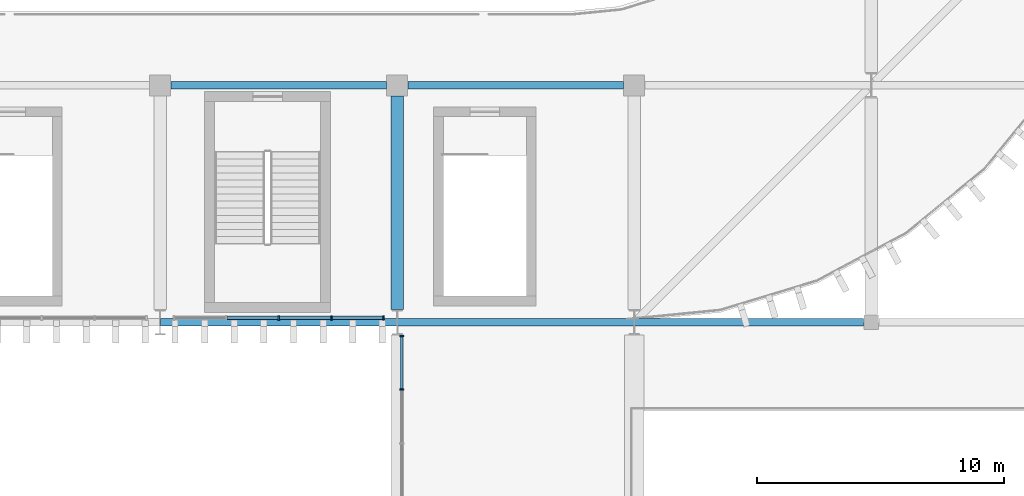
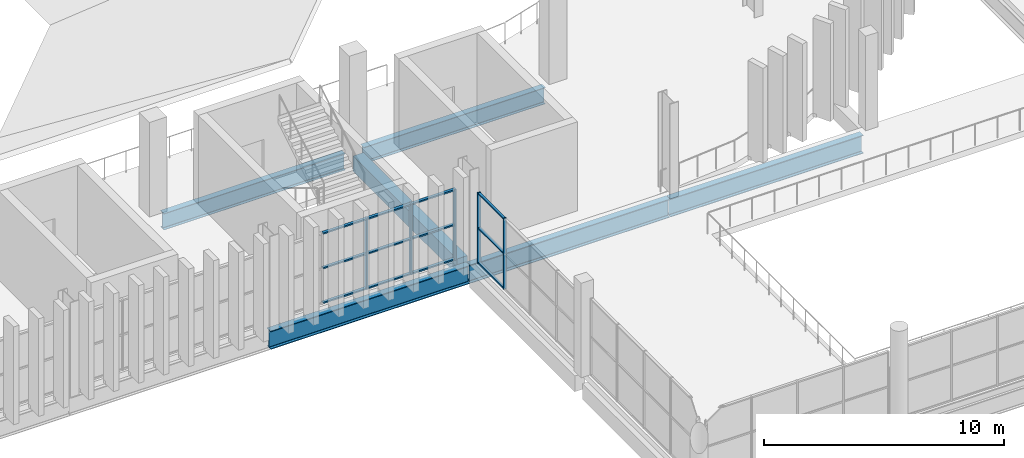
# One storey, part 38 of 99: 17 members, 6 beams, 2 elements without a shape of their own.
"""IFC4 building model written with IfcOpenShell, lengths in metres."""

from ifc_helpers import new_model, si_unit, direction, frame, origin, origin_2d, place, context, subcontext, project, spatial, rectangle, i_section, extrude, material, layer, layer_set, material_profile, profile_set, type_object, element, aggregate, save


model = new_model("IFC4")

# Units and contexts
model_context = context("Model", 3, precision=1e-05, world=origin(), true_north=direction((0.0, 1.0)))
body_context = subcontext(model_context, "Body", "Model", "MODEL_VIEW")
ifc_project = project(units=[si_unit("LENGTHUNIT", "METRE"), si_unit("AREAUNIT", "SQUARE_METRE"), si_unit("VOLUMEUNIT", "CUBIC_METRE"), si_unit("PLANEANGLEUNIT", "RADIAN"), si_unit("MASSUNIT", "GRAM", prefix="KILO")], contexts=[model_context])

# Site, building, storey
site_placement = place(None, origin())
site = spatial("IfcSite", under=ifc_project, at=site_placement, CompositionType="ELEMENT")
building_placement = place(site_placement, origin())
building = spatial("IfcBuilding", under=site, at=building_placement, Name="Caelomonte Colonnade Arena", CompositionType="ELEMENT")
storey_placement = place(building_placement, frame((0.0, 0.0, 4.800048828125)))
storey = spatial("IfcBuildingStorey", under=building, at=storey_placement, Name="L01", CompositionType="ELEMENT", Elevation=4.800048828125)

# Curtain wall, members
ifc_material_1 = material(Name="Bronze anodised aluminium and low-E glazing", Category="aluminium")
ifc_layer_1 = layer(ifc_material_1, 0.179931640625)
ifc_layer_set_1 = layer_set([ifc_layer_1], Name="Bronze anodised aluminium and low-E glazing")
curtain_wall_type_1 = type_object("IfcCurtainWallType", Name="ENV-CW-CW-L01-96-36", PredefinedType="USERDEFINED", material=ifc_layer_set_1)
curtain_wall_1_placement = place(storey_placement, origin())
curtain_wall_1 = element("IfcCurtainWall", 1, at=curtain_wall_1_placement, inside=storey, type_object=curtain_wall_type_1, Name="L01 unitized curtain wall CW-L01-1296-0194", ObjectType="UNITIZED CURTAIN WALL", PredefinedType="USERDEFINED")
ifc_material_2 = material(Name="Bronze anodised aluminium AA6063-T6", Category="aluminium")
ifc_material_profile_1 = material_profile(ifc_material_2, rectangle(XDim=0.070068359375, YDim=0.179931640625, at=origin_2d()), Name="CWM-70X180")
ifc_profile_set_1 = profile_set([ifc_material_profile_1], Name="Bronze anodised aluminium AA6063-T6")
member_type_1 = type_object("IfcMemberType", Name="ENV-CW-MULL1", PredefinedType="MULLION", material=ifc_profile_set_1)
member_1_placement = place(storey_placement, frame((129.60009765625, 19.3798828125, 0.0), z_axis=(0.0, 0.0, 1.0), x_axis=(1.0, 0.0, 0.0)))
member_1 = element("IfcMember", 2, at=member_1_placement, type_object=member_type_1, Name="CW-L01-96-36 mullion 3", PredefinedType="MULLION", context=body_context, shape_type="SweptSolid", body=[
    extrude(rectangle(XDim=0.070068359375, YDim=0.179931640625, at=origin_2d()), origin(), (0.0, 0.0, 1.0), 3.593017578125),
])
member_2_placement = place(storey_placement, frame((131.7373046875, 19.3798828125, 0.0), z_axis=(0.0, 0.0, 1.0), x_axis=(1.0, 0.0, 0.0)))
member_2 = element("IfcMember", 3, at=member_2_placement, type_object=member_type_1, Name="CW-L01-96-36 mullion 4", PredefinedType="MULLION", context=body_context, shape_type="SweptSolid", body=[
    extrude(rectangle(XDim=0.070068359375, YDim=0.179931640625, at=origin_2d()), origin(), (0.0, 0.0, 1.0), 3.593017578125),
])
member_3_placement = place(storey_placement, frame((133.839599609375, 19.3798828125, 0.0), z_axis=(0.0, 0.0, 1.0), x_axis=(1.0, 0.0, 0.0)))
member_3 = element("IfcMember", 4, at=member_3_placement, type_object=member_type_1, Name="CW-L01-96-36 mullion 5", PredefinedType="MULLION", context=body_context, shape_type="SweptSolid", body=[
    extrude(rectangle(XDim=0.070068359375, YDim=0.179931640625, at=origin_2d()), origin(), (0.0, 0.0, 1.0), 3.593017578125),
])

ifc_layer_2 = layer(ifc_material_1, 0.179931640625)
ifc_layer_set_2 = layer_set([ifc_layer_2], Name="Bronze anodised aluminium and low-E glazing")
curtain_wall_type_2 = type_object("IfcCurtainWallType", Name="ENV-CW-CW-L01-100-36", PredefinedType="USERDEFINED", material=ifc_layer_set_2)
curtain_wall_2_placement = place(storey_placement, origin())
curtain_wall_2 = element("IfcCurtainWall", 5, at=curtain_wall_2_placement, inside=storey, type_object=curtain_wall_type_2, Name="L01 unitized curtain wall CW-L01-1346-0146", ObjectType="UNITIZED CURTAIN WALL", PredefinedType="USERDEFINED")
ifc_material_profile_2 = material_profile(ifc_material_2, rectangle(XDim=0.06494140625, YDim=0.14990234375, at=origin_2d()), Name="CWM-65X150")
ifc_profile_set_2 = profile_set([ifc_material_profile_2], Name="Bronze anodised aluminium AA6063-T6")
member_type_2 = type_object("IfcMemberType", Name="ENV-CW-MULL2", PredefinedType="MULLION", material=ifc_profile_set_2)
member_4_placement = place(storey_placement, frame((134.580078125, 18.64208984375, 0.0), z_axis=(0.0, 0.0, 1.0), x_axis=(0.0, -1.0, 0.0)))
member_4 = element("IfcMember", 6, at=member_4_placement, type_object=member_type_2, Name="CW-L01-100-36 mullion 1", PredefinedType="MULLION", context=body_context, shape_type="SweptSolid", body=[
    extrude(rectangle(XDim=0.06494140625, YDim=0.14990234375, at=origin_2d()), origin(), (0.0, 0.0, 1.0), 3.593017578125),
])
member_5_placement = place(storey_placement, frame((134.580078125, 16.48583984375, 0.0), z_axis=(0.0, 0.0, 1.0), x_axis=(0.0, -1.0, 0.0)))
member_5 = element("IfcMember", 7, at=member_5_placement, type_object=member_type_2, Name="CW-L01-100-36 mullion 2", PredefinedType="MULLION", context=body_context, shape_type="SweptSolid", body=[
    extrude(rectangle(XDim=0.06494140625, YDim=0.14990234375, at=origin_2d()), origin(), (0.0, 0.0, 1.0), 3.593017578125),
])

# Member
ifc_material_profile_3 = material_profile(ifc_material_2, rectangle(XDim=0.070068359375, YDim=0.139892578125, at=origin_2d()), Name="CWT-70X140")
ifc_profile_set_3 = profile_set([ifc_material_profile_3], Name="Bronze anodised aluminium AA6063-T6")
member_type_3 = type_object("IfcMemberType", Name="ENV-CW-TRAN1", PredefinedType="USERDEFINED", material=ifc_profile_set_3)
member_6_placement = place(storey_placement, frame((127.497802734375, 19.3798828125, 0.034912109375), z_axis=(1.0, 0.0, 0.0), x_axis=(0.0, 0.0, 1.0)))
member_6 = element("IfcMember", 8, at=member_6_placement, type_object=member_type_3, Name="CW-L01-96-36 transom 2.1", ObjectType="TRANSOM", PredefinedType="USERDEFINED", context=body_context, shape_type="SweptSolid", body=[
    extrude(rectangle(XDim=0.070068359375, YDim=0.139892578125, at=origin_2d()), origin(), (0.0, 0.0, 1.0), 2.067138671875),
])

member_7_placement = place(storey_placement, frame((127.497802734375, 19.3798828125, 1.79638671875), z_axis=(1.0, 0.0, 0.0), x_axis=(0.0, 0.0, 1.0)))
member_7 = element("IfcMember", 9, at=member_7_placement, type_object=member_type_3, Name="CW-L01-96-36 transom 2.2", ObjectType="TRANSOM", PredefinedType="USERDEFINED", context=body_context, shape_type="SweptSolid", body=[
    extrude(rectangle(XDim=0.070068359375, YDim=0.139892578125, at=origin_2d()), origin(), (0.0, 0.0, 1.0), 2.067138671875),
])

member_8_placement = place(storey_placement, frame((127.497802734375, 19.3798828125, 3.557861328125), z_axis=(1.0, 0.0, 0.0), x_axis=(0.0, 0.0, 1.0)))
member_8 = element("IfcMember", 10, at=member_8_placement, type_object=member_type_3, Name="CW-L01-96-36 transom 2.3", ObjectType="TRANSOM", PredefinedType="USERDEFINED", context=body_context, shape_type="SweptSolid", body=[
    extrude(rectangle(XDim=0.070068359375, YDim=0.139892578125, at=origin_2d()), origin(), (0.0, 0.0, 1.0), 2.067138671875),
])

member_9_placement = place(storey_placement, frame((129.635009765625, 19.3798828125, 0.034912109375), z_axis=(1.0, 0.0, 0.0), x_axis=(0.0, 0.0, 1.0)))
member_9 = element("IfcMember", 11, at=member_9_placement, type_object=member_type_3, Name="CW-L01-96-36 transom 3.1", ObjectType="TRANSOM", PredefinedType="USERDEFINED", context=body_context, shape_type="SweptSolid", body=[
    extrude(rectangle(XDim=0.070068359375, YDim=0.139892578125, at=origin_2d()), origin(), (0.0, 0.0, 1.0), 2.067138671875),
])

member_10_placement = place(storey_placement, frame((129.635009765625, 19.3798828125, 1.79638671875), z_axis=(1.0, 0.0, 0.0), x_axis=(0.0, 0.0, 1.0)))
member_10 = element("IfcMember", 12, at=member_10_placement, type_object=member_type_3, Name="CW-L01-96-36 transom 3.2", ObjectType="TRANSOM", PredefinedType="USERDEFINED", context=body_context, shape_type="SweptSolid", body=[
    extrude(rectangle(XDim=0.070068359375, YDim=0.139892578125, at=origin_2d()), origin(), (0.0, 0.0, 1.0), 2.067138671875),
])

member_11_placement = place(storey_placement, frame((129.635009765625, 19.3798828125, 3.557861328125), z_axis=(1.0, 0.0, 0.0), x_axis=(0.0, 0.0, 1.0)))
member_11 = element("IfcMember", 13, at=member_11_placement, type_object=member_type_3, Name="CW-L01-96-36 transom 3.3", ObjectType="TRANSOM", PredefinedType="USERDEFINED", context=body_context, shape_type="SweptSolid", body=[
    extrude(rectangle(XDim=0.070068359375, YDim=0.139892578125, at=origin_2d()), origin(), (0.0, 0.0, 1.0), 2.067138671875),
])

member_12_placement = place(storey_placement, frame((131.772216796875, 19.3798828125, 0.034912109375), z_axis=(1.0, 0.0, 0.0), x_axis=(0.0, 0.0, 1.0)))
member_12 = element("IfcMember", 14, at=member_12_placement, type_object=member_type_3, Name="CW-L01-96-36 transom 4.1", ObjectType="TRANSOM", PredefinedType="USERDEFINED", context=body_context, shape_type="SweptSolid", body=[
    extrude(rectangle(XDim=0.070068359375, YDim=0.139892578125, at=origin_2d()), origin(), (0.0, 0.0, 1.0), 2.0322265625),
])

member_13_placement = place(storey_placement, frame((131.772216796875, 19.3798828125, 1.79638671875), z_axis=(1.0, 0.0, 0.0), x_axis=(0.0, 0.0, 1.0)))
member_13 = element("IfcMember", 15, at=member_13_placement, type_object=member_type_3, Name="CW-L01-96-36 transom 4.2", ObjectType="TRANSOM", PredefinedType="USERDEFINED", context=body_context, shape_type="SweptSolid", body=[
    extrude(rectangle(XDim=0.070068359375, YDim=0.139892578125, at=origin_2d()), origin(), (0.0, 0.0, 1.0), 2.0322265625),
])

member_14_placement = place(storey_placement, frame((131.772216796875, 19.3798828125, 3.557861328125), z_axis=(1.0, 0.0, 0.0), x_axis=(0.0, 0.0, 1.0)))
member_14 = element("IfcMember", 16, at=member_14_placement, type_object=member_type_3, Name="CW-L01-96-36 transom 4.3", ObjectType="TRANSOM", PredefinedType="USERDEFINED", context=body_context, shape_type="SweptSolid", body=[
    extrude(rectangle(XDim=0.070068359375, YDim=0.139892578125, at=origin_2d()), origin(), (0.0, 0.0, 1.0), 2.0322265625),
])

aggregate(curtain_wall_1, [member_1, member_2, member_3, member_6, member_7, member_8, member_9, member_10, member_11, member_12, member_13, member_14])

ifc_material_profile_4 = material_profile(ifc_material_2, rectangle(XDim=0.06494140625, YDim=0.1201171875, at=origin_2d()), Name="CWT-65X120")
ifc_profile_set_4 = profile_set([ifc_material_profile_4], Name="Bronze anodised aluminium AA6063-T6")
member_type_4 = type_object("IfcMemberType", Name="ENV-CW-TRAN2", PredefinedType="USERDEFINED", material=ifc_profile_set_4)
member_15_placement = place(storey_placement, frame((134.580078125, 18.609619140625, 0.032470703125), z_axis=(0.0, -1.0, 0.0), x_axis=(0.0, 0.0, 1.0)))
member_15 = element("IfcMember", 17, at=member_15_placement, type_object=member_type_4, Name="CW-L01-100-36 transom 1.1", ObjectType="TRANSOM", PredefinedType="USERDEFINED", context=body_context, shape_type="SweptSolid", body=[
    extrude(rectangle(XDim=0.06494140625, YDim=0.1201171875, at=origin_2d()), origin(), (0.0, 0.0, 1.0), 2.09130859375),
])

member_16_placement = place(storey_placement, frame((134.580078125, 18.609619140625, 1.79638671875), z_axis=(0.0, -1.0, 0.0), x_axis=(0.0, 0.0, 1.0)))
member_16 = element("IfcMember", 18, at=member_16_placement, type_object=member_type_4, Name="CW-L01-100-36 transom 1.2", ObjectType="TRANSOM", PredefinedType="USERDEFINED", context=body_context, shape_type="SweptSolid", body=[
    extrude(rectangle(XDim=0.06494140625, YDim=0.1201171875, at=origin_2d()), origin(), (0.0, 0.0, 1.0), 2.09130859375),
])

member_17_placement = place(storey_placement, frame((134.580078125, 18.609619140625, 3.560546875), z_axis=(0.0, -1.0, 0.0), x_axis=(0.0, 0.0, 1.0)))
member_17 = element("IfcMember", 19, at=member_17_placement, type_object=member_type_4, Name="CW-L01-100-36 transom 1.3", ObjectType="TRANSOM", PredefinedType="USERDEFINED", context=body_context, shape_type="SweptSolid", body=[
    extrude(rectangle(XDim=0.06494140625, YDim=0.1201171875, at=origin_2d()), origin(), (0.0, 0.0, 1.0), 2.09130859375),
])

aggregate(curtain_wall_2, [member_4, member_5, member_15, member_16, member_17])

# Beams
ifc_material_3 = material(Name="Wide-flange steel ASTM A992 Grade 50", Category="steel")
ifc_material_profile_5 = material_profile(ifc_material_3, i_section(OverallWidth=0.307861328125, OverallDepth=0.927001953125, WebThickness=0.019287109375, FlangeThickness=0.031982421875, FilletRadius=0.020263671875, at=origin_2d()), Name="W36X194")
ifc_profile_set_5 = profile_set([ifc_material_profile_5], Name="Wide-flange steel ASTM A992 Grade 50")
beam_type_1 = type_object("IfcBeamType", Name="STR-BM-EAVES2", PredefinedType="SPANDREL", material=ifc_profile_set_5)
for number, where, z_axis, x_axis, name in (
    (20, (124.8154296875, 19.199951171875, -0.763427734375), (1.0, 0.0, 0.0), (0.0, 1.0, 0.0), "L01 girder BMX-L01-1248-0192"),
    (21, (134.41552734375, 19.199951171875, -0.763427734375), (1.0, 0.0, 0.0), (0.0, 1.0, 0.0), "L01 girder BMX-L01-1344-0192"),
):
    element("IfcBeam", number, at=place(storey_placement, frame(where, z_axis=z_axis, x_axis=x_axis)), inside=storey, type_object=beam_type_1, Name=name, PredefinedType="SPANDREL", context=body_context, shape_type="SweptSolid", body=[
        extrude(i_section(OverallWidth=0.307861328125, OverallDepth=0.927001953125, WebThickness=0.019287109375, FlangeThickness=0.031982421875, FilletRadius=0.020263671875, at=origin_2d()), origin(), (0.0, 0.0, 1.0), 9.569091796875),
    ])
beam_1_placement = place(storey_placement, frame((144.015380859375, 19.199951171875, -0.763427734375), z_axis=(1.0, 0.0, 0.0), x_axis=(0.0, 1.0, 0.0)))
element("IfcBeam", 22, at=beam_1_placement, inside=storey, type_object=beam_type_1, Name="L01 girder BMX-L01-1440-0192", PredefinedType="SPANDREL", context=body_context, shape_type="SweptSolid", body=[
    extrude(i_section(OverallWidth=0.307861328125, OverallDepth=0.927001953125, WebThickness=0.019287109375, FlangeThickness=0.031982421875, FilletRadius=0.020263671875, at=origin_2d()), origin(), (0.0, 0.0, 1.0), 9.267578125),
])
ifc_material_profile_6 = material_profile(ifc_material_3, i_section(OverallWidth=0.2919921875, OverallDepth=0.835693359375, WebThickness=0.013916015625, FlangeThickness=0.018798828125, FilletRadius=0.017822265625, at=origin_2d()), Name="W33X118")
ifc_profile_set_6 = profile_set([ifc_material_profile_6], Name="Wide-flange steel ASTM A992 Grade 50")
beam_type_2 = type_object("IfcBeamType", Name="STR-BM-GIRD33B", PredefinedType="BEAM", material=ifc_profile_set_6)
for number, where, z_axis, x_axis, name in (
    (23, (125.241943359375, 28.800048828125, -0.7177734375), (1.0, 0.0, 0.0), (0.0, 1.0, 0.0), "L01 girder BMX-L01-1248-0288"),
    (24, (134.842041015625, 28.800048828125, -0.7177734375), (1.0, 0.0, 0.0), (0.0, 1.0, 0.0), "L01 girder BMX-L01-1344-0288"),
):
    element("IfcBeam", number, at=place(storey_placement, frame(where, z_axis=z_axis, x_axis=x_axis)), inside=storey, type_object=beam_type_2, Name=name, PredefinedType="BEAM", context=body_context, shape_type="SweptSolid", body=[
        extrude(i_section(OverallWidth=0.2919921875, OverallDepth=0.835693359375, WebThickness=0.013916015625, FlangeThickness=0.018798828125, FilletRadius=0.017822265625, at=origin_2d()), origin(), (0.0, 0.0, 1.0), 8.716064453125),
    ])
ifc_material_4 = material(Name="Concrete C40/50", Category="concrete")
ifc_material_profile_7 = material_profile(ifc_material_4, rectangle(XDim=0.5, YDim=0.800048828125, at=origin_2d()), Name="RC500X800")
ifc_profile_set_7 = profile_set([ifc_material_profile_7], Name="Concrete C40/50")
beam_type_3 = type_object("IfcBeamType", Name="STR-BM-RC50", PredefinedType="BEAM", material=ifc_profile_set_7)
beam_2_placement = place(storey_placement, frame((134.39990234375, 19.712646484375, -0.699951171875), z_axis=(0.0, 1.0, 0.0), x_axis=(-1.0, 0.0, 0.0)))
element("IfcBeam", 25, at=beam_2_placement, inside=storey, type_object=beam_type_3, Name="L01 girder BMY-L01-1344-0192", PredefinedType="BEAM", context=body_context, shape_type="SweptSolid", body=[
    extrude(rectangle(XDim=0.5, YDim=0.800048828125, at=origin_2d()), origin(), (0.0, 0.0, 1.0), 8.645263671875),
])

save(model, "model.ifc")
